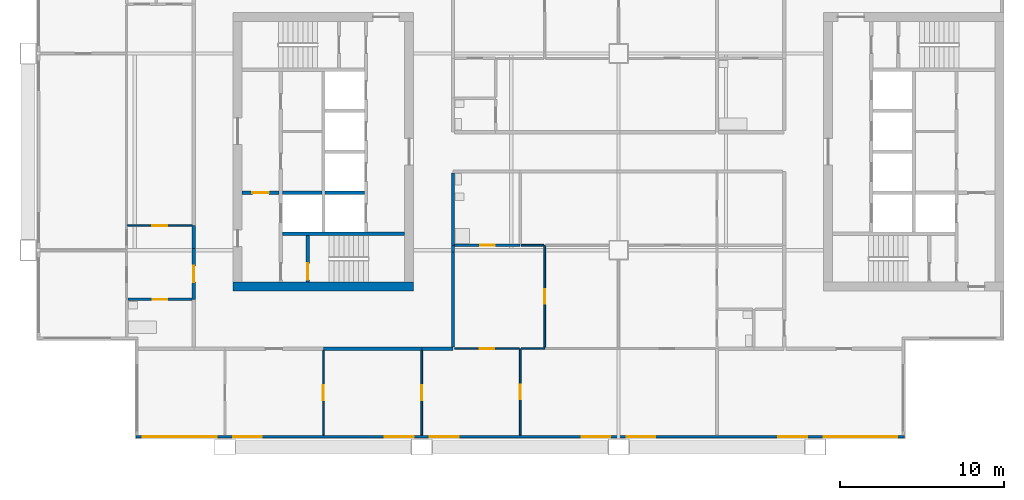
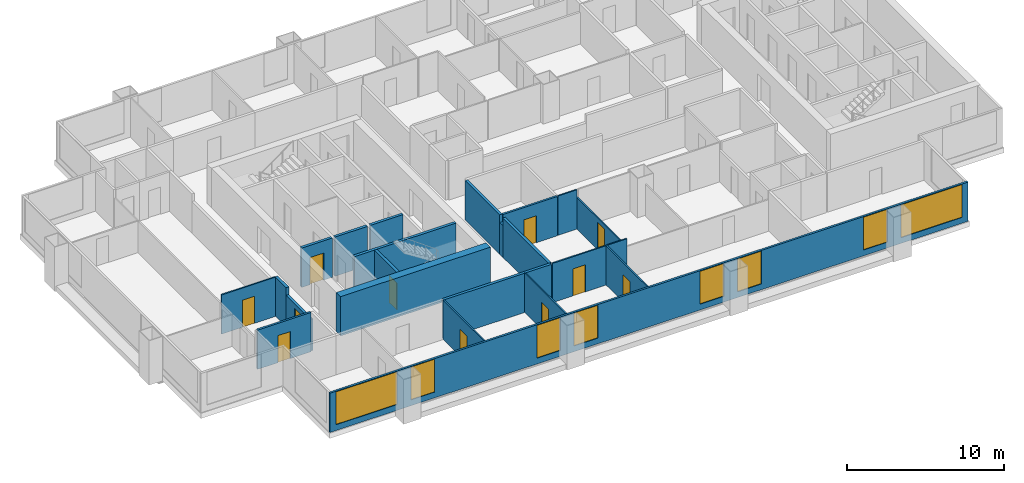
# One storey, part 2 of 9: 24 walls, 11 doors, 8 windows, 19 openings.
"""IFC4 building model written with IfcOpenShell, lengths in metres."""

from ifc_helpers import new_model, si_unit, direction, frame, frame_2d, origin, place, context, subcontext, project, spatial, rectangle, extrude, material, layer, layer_set, type_object, element, fill, save


model = new_model("IFC4")

# Units and contexts
model_context = context("Model", 3, precision=1e-05, world=origin(), true_north=direction((0.0, 1.0)))
body_context = subcontext(model_context, "Body", "Model", "MODEL_VIEW")
ifc_project = project(units=[si_unit("LENGTHUNIT", "METRE"), si_unit("AREAUNIT", "SQUARE_METRE"), si_unit("VOLUMEUNIT", "CUBIC_METRE"), si_unit("PLANEANGLEUNIT", "RADIAN"), si_unit("MASSUNIT", "GRAM", prefix="KILO")], contexts=[model_context])

# Site, building, storey
site_placement = place(None, origin())
site = spatial("IfcSite", under=ifc_project, at=site_placement, CompositionType="ELEMENT")
building_placement = place(site_placement, origin())
building = spatial("IfcBuilding", under=site, at=building_placement, Name="Kitamizu Gate Tower and Museum", CompositionType="ELEMENT")
storey_placement = place(building_placement, frame((0.0, 0.0, 178.949951171875)))
storey = spatial("IfcBuildingStorey", under=building, at=storey_placement, Name="L47", CompositionType="ELEMENT", Elevation=178.949951171875)

# Wall
ifc_material_1 = material(Name="Concrete Fc42", Category="concrete")
ifc_layer_1 = layer(ifc_material_1, 0.550048828125)
ifc_layer_set_1 = layer_set([ifc_layer_1], Name="Concrete Fc42")
wall_type_1 = type_object("IfcWallType", Name="Core wall 550", PredefinedType="SHEAR", material=ifc_layer_set_1)
wall_1_placement = place(storey_placement, frame((12.5, 21.77490234375, 0.0), z_axis=(0.0, 0.0, 1.0), x_axis=(1.0, 0.0, 0.0)))
element("IfcWall", 1, at=wall_1_placement, inside=storey, type_object=wall_type_1, Name="Core wall WS", PredefinedType="SHEAR", context=body_context, shape_type="SweptSolid", body=[
    extrude(rectangle(XDim=11.0, YDim=0.550048828125, at=frame_2d((5.5, 0.0))), origin(), (0.0, 0.0, 1.0), 3.050048828125),
])

# Wall, opening, door
ifc_material_2 = material(Name="Gypsum board on galvanised stud")
ifc_layer_2 = layer(ifc_material_2, 0.10009765625)
ifc_layer_set_2 = layer_set([ifc_layer_2], Name="Gypsum board on galvanised stud")
wall_type_2 = type_object("IfcWallType", Name="Partition 100 NOT RATED", PredefinedType="PARTITIONING", material=ifc_layer_set_2)
wall_2_placement = place(storey_placement, frame((18.0, 12.719970703125, 0.0), z_axis=(0.0, 0.0, 1.0), x_axis=(0.0, 1.0, 0.0)))
wall_2 = element("IfcWall", 2, at=wall_2_placement, inside=storey, type_object=wall_type_2, Name="Partition L47-004", PredefinedType="PARTITIONING", context=body_context, shape_type="SweptSolid", body=[
    extrude(rectangle(XDim=5.179931640625, YDim=0.10009765625, at=frame_2d((2.58984375, 0.0))), origin(), (0.0, 0.0, 1.0), 3.050048828125),
])
opening_1_placement = place(wall_2_placement, frame((2.139892578125, 0.0, 0.0)))
opening_1 = element("IfcOpeningElement", 3, at=opening_1_placement, cuts=wall_2, Name="Opening L47-003", PredefinedType="OPENING", context=body_context, shape_type="SweptSolid", body=[
    extrude(rectangle(XDim=0.89990234375, YDim=2.10009765625, at=frame_2d((0.449951171875, 1.050048828125))), frame((0.0, 0.06005859375, 0.0), z_axis=(0.0, -1.0, 0.0), x_axis=(1.0, 0.0, 0.0)), (0.0, 0.0, 1.0), 0.1201171875),
])
ifc_material_3 = material(Name="Timber door set", Category="wood")
door_type_1 = type_object("IfcDoorType", Name="Room door 900", OperationType="NOTDEFINED", PredefinedType="DOOR", material=ifc_material_3)
door_1_placement = place(opening_1_placement, frame((0.89990234375, 0.0, 0.0), x_axis=(-1.0, 0.0, 0.0)))
door_1 = element("IfcDoor", 4, at=door_1_placement, inside=storey, type_object=door_type_1, Name="Door L47-003", OperationType="SINGLE_SWING_LEFT", OverallHeight=2.10009765625, OverallWidth=0.89990234375, PredefinedType="DOOR", context=body_context, shape_type="SweptSolid", body=[
    extrude(rectangle(XDim=0.89990234375, YDim=2.10009765625, at=frame_2d((0.449951171875, 1.050048828125))), frame((0.0, 0.02490234375, 0.0), z_axis=(0.0, -1.0, 0.0), x_axis=(1.0, 0.0, 0.0)), (0.0, 0.0, 1.0), 0.050048828125),
])
fill(opening_1, door_1)

wall_3_placement = place(storey_placement, frame((24.0, 12.719970703125, 0.0), z_axis=(0.0, 0.0, 1.0), x_axis=(0.0, 1.0, 0.0)))
wall_3 = element("IfcWall", 5, at=wall_3_placement, inside=storey, type_object=wall_type_2, Name="Partition L47-006", PredefinedType="PARTITIONING", context=body_context, shape_type="SweptSolid", body=[
    extrude(rectangle(XDim=5.179931640625, YDim=0.10009765625, at=frame_2d((2.58984375, 0.0))), origin(), (0.0, 0.0, 1.0), 3.050048828125),
])
opening_2_placement = place(wall_3_placement, frame((2.139892578125, 0.0, 0.0)))
opening_2 = element("IfcOpeningElement", 6, at=opening_2_placement, cuts=wall_3, Name="Opening L47-004", PredefinedType="OPENING", context=body_context, shape_type="SweptSolid", body=[
    extrude(rectangle(XDim=0.89990234375, YDim=2.10009765625, at=frame_2d((0.449951171875, 1.050048828125))), frame((0.0, 0.06005859375, 0.0), z_axis=(0.0, -1.0, 0.0), x_axis=(1.0, 0.0, 0.0)), (0.0, 0.0, 1.0), 0.1201171875),
])
door_2_placement = place(opening_2_placement, origin())
door_2 = element("IfcDoor", 7, at=door_2_placement, inside=storey, type_object=door_type_1, Name="Door L47-004", OperationType="SINGLE_SWING_LEFT", OverallHeight=2.10009765625, OverallWidth=0.89990234375, PredefinedType="DOOR", context=body_context, shape_type="SweptSolid", body=[
    extrude(rectangle(XDim=0.89990234375, YDim=2.10009765625, at=frame_2d((0.449951171875, 1.050048828125))), frame((0.0, 0.02490234375, 0.0), z_axis=(0.0, -1.0, 0.0), x_axis=(1.0, 0.0, 0.0)), (0.0, 0.0, 1.0), 0.050048828125),
])
fill(opening_2, door_2)

wall_4_placement = place(storey_placement, frame((30.0, 12.719970703125, 0.0), z_axis=(0.0, 0.0, 1.0), x_axis=(0.0, 1.0, 0.0)))
wall_4 = element("IfcWall", 8, at=wall_4_placement, inside=storey, type_object=wall_type_2, Name="Partition L47-008", PredefinedType="PARTITIONING", context=body_context, shape_type="SweptSolid", body=[
    extrude(rectangle(XDim=5.280029296875, YDim=0.10009765625, at=frame_2d((2.64013671875, 0.0))), origin(), (0.0, 0.0, 1.0), 3.050048828125),
])
opening_3_placement = place(wall_4_placement, frame((2.18994140625, 0.0, 0.0)))
opening_3 = element("IfcOpeningElement", 9, at=opening_3_placement, cuts=wall_4, Name="Opening L47-005", PredefinedType="OPENING", context=body_context, shape_type="SweptSolid", body=[
    extrude(rectangle(XDim=0.89990234375, YDim=2.10009765625, at=frame_2d((0.449951171875, 1.050048828125))), frame((0.0, 0.06005859375, 0.0), z_axis=(0.0, -1.0, 0.0), x_axis=(1.0, 0.0, 0.0)), (0.0, 0.0, 1.0), 0.1201171875),
])
door_3_placement = place(opening_3_placement, origin())
door_3 = element("IfcDoor", 10, at=door_3_placement, inside=storey, type_object=door_type_1, Name="Door L47-005", OperationType="SINGLE_SWING_RIGHT", OverallHeight=2.10009765625, OverallWidth=0.89990234375, PredefinedType="DOOR", context=body_context, shape_type="SweptSolid", body=[
    extrude(rectangle(XDim=0.89990234375, YDim=2.10009765625, at=frame_2d((0.449951171875, 1.050048828125))), frame((0.0, 0.02490234375, 0.0), z_axis=(0.0, -1.0, 0.0), x_axis=(1.0, 0.0, 0.0)), (0.0, 0.0, 1.0), 0.050048828125),
])
fill(opening_3, door_3)

wall_5_placement = place(storey_placement, frame((29.949951171875, 18.0, 0.0), z_axis=(0.0, 0.0, 1.0), x_axis=(-1.0, 0.0, 0.0)))
wall_5 = element("IfcWall", 11, at=wall_5_placement, inside=storey, type_object=wall_type_2, Name="Partition L47-009", PredefinedType="PARTITIONING", context=body_context, shape_type="SweptSolid", body=[
    extrude(rectangle(XDim=3.949951171875, YDim=0.10009765625, at=frame_2d((1.97509765625, 0.0))), origin(), (0.0, 0.0, 1.0), 3.050048828125),
])
opening_4_placement = place(wall_5_placement, frame((1.52490234375, 0.0, 0.0)))
opening_4 = element("IfcOpeningElement", 12, at=opening_4_placement, cuts=wall_5, Name="Opening L47-006", PredefinedType="OPENING", context=body_context, shape_type="SweptSolid", body=[
    extrude(rectangle(XDim=0.89990234375, YDim=2.10009765625, at=frame_2d((0.449951171875, 1.050048828125))), frame((0.0, 0.06005859375, 0.0), z_axis=(0.0, -1.0, 0.0), x_axis=(1.0, 0.0, 0.0)), (0.0, 0.0, 1.0), 0.1201171875),
])
door_4_placement = place(opening_4_placement, origin())
door_4 = element("IfcDoor", 13, at=door_4_placement, inside=storey, type_object=door_type_1, Name="Door L47-006", OperationType="SINGLE_SWING_LEFT", OverallHeight=2.10009765625, OverallWidth=0.89990234375, PredefinedType="DOOR", context=body_context, shape_type="SweptSolid", body=[
    extrude(rectangle(XDim=0.89990234375, YDim=2.10009765625, at=frame_2d((0.449951171875, 1.050048828125))), frame((0.0, 0.02490234375, 0.0), z_axis=(0.0, -1.0, 0.0), x_axis=(1.0, 0.0, 0.0)), (0.0, 0.0, 1.0), 0.050048828125),
])
fill(opening_4, door_4)

# Wall
wall_6_placement = place(storey_placement, frame((31.5, 18.0, 0.0), z_axis=(0.0, 0.0, 1.0), x_axis=(-1.0, 0.0, 0.0)))
element("IfcWall", 14, at=wall_6_placement, inside=storey, type_object=wall_type_2, Name="Partition L47-011", PredefinedType="PARTITIONING", context=body_context, shape_type="SweptSolid", body=[
    extrude(rectangle(XDim=1.449951171875, YDim=0.10009765625, at=frame_2d((0.72509765625, 0.0))), origin(), (0.0, 0.0, 1.0), 3.050048828125),
])

# Wall, opening, door
wall_7_placement = place(storey_placement, frame((31.5, 18.050048828125, 0.0), z_axis=(0.0, 0.0, 1.0), x_axis=(0.0, 1.0, 0.0)))
wall_7 = element("IfcWall", 15, at=wall_7_placement, inside=storey, type_object=wall_type_2, Name="Partition L47-015", PredefinedType="PARTITIONING", context=body_context, shape_type="SweptSolid", body=[
    extrude(rectangle(XDim=6.25, YDim=0.10009765625, at=frame_2d((3.125, 0.0))), origin(), (0.0, 0.0, 1.0), 2.449951171875),
])
opening_5_placement = place(wall_7_placement, frame((2.675048828125, 0.0, 0.0)))
opening_5 = element("IfcOpeningElement", 16, at=opening_5_placement, cuts=wall_7, Name="Opening L47-007", PredefinedType="OPENING", context=body_context, shape_type="SweptSolid", body=[
    extrude(rectangle(XDim=0.89990234375, YDim=2.10009765625, at=frame_2d((0.449951171875, 1.050048828125))), frame((0.0, 0.06005859375, 0.0), z_axis=(0.0, -1.0, 0.0), x_axis=(1.0, 0.0, 0.0)), (0.0, 0.0, 1.0), 0.1201171875),
])
door_5_placement = place(opening_5_placement, frame((0.89990234375, 0.0, 0.0), x_axis=(-1.0, 0.0, 0.0)))
door_5 = element("IfcDoor", 17, at=door_5_placement, inside=storey, type_object=door_type_1, Name="Door L47-007", OperationType="SINGLE_SWING_LEFT", OverallHeight=2.10009765625, OverallWidth=0.89990234375, PredefinedType="DOOR", context=body_context, shape_type="SweptSolid", body=[
    extrude(rectangle(XDim=0.89990234375, YDim=2.10009765625, at=frame_2d((0.449951171875, 1.050048828125))), frame((0.0, 0.02490234375, 0.0), z_axis=(0.0, -1.0, 0.0), x_axis=(1.0, 0.0, 0.0)), (0.0, 0.0, 1.0), 0.050048828125),
])
fill(opening_5, door_5)

# Wall
wall_8_placement = place(storey_placement, frame((31.449951171875, 24.300048828125, 0.0), z_axis=(0.0, 0.0, 1.0), x_axis=(-1.0, 0.0, 0.0)))
element("IfcWall", 18, at=wall_8_placement, inside=storey, type_object=wall_type_2, Name="Partition L47-017", PredefinedType="PARTITIONING", context=body_context, shape_type="SweptSolid", body=[
    extrude(rectangle(XDim=1.375, YDim=0.10009765625, at=frame_2d((0.6875, 0.0))), origin(), (0.0, 0.0, 1.0), 3.050048828125),
])

# Wall, opening, door
wall_9_placement = place(storey_placement, frame((10.0, 25.5, 0.0), z_axis=(0.0, 0.0, 1.0), x_axis=(-1.0, 0.0, 0.0)))
wall_9 = element("IfcWall", 19, at=wall_9_placement, inside=storey, type_object=wall_type_2, Name="Partition L47-089", PredefinedType="PARTITIONING", context=body_context, shape_type="SweptSolid", body=[
    extrude(rectangle(XDim=3.949951171875, YDim=0.10009765625, at=frame_2d((1.97509765625, 0.0))), origin(), (0.0, 0.0, 1.0), 3.050048828125),
])
opening_6_placement = place(wall_9_placement, frame((1.52490234375, 0.0, 0.0)))
opening_6 = element("IfcOpeningElement", 20, at=opening_6_placement, cuts=wall_9, Name="Opening L47-031", PredefinedType="OPENING", context=body_context, shape_type="SweptSolid", body=[
    extrude(rectangle(XDim=0.89990234375, YDim=2.10009765625, at=frame_2d((0.449951171875, 1.050048828125))), frame((0.0, 0.06005859375, 0.0), z_axis=(0.0, -1.0, 0.0), x_axis=(1.0, 0.0, 0.0)), (0.0, 0.0, 1.0), 0.1201171875),
])
door_6_placement = place(opening_6_placement, origin())
door_6 = element("IfcDoor", 21, at=door_6_placement, inside=storey, type_object=door_type_1, Name="Door L47-031", OperationType="SINGLE_SWING_LEFT", OverallHeight=2.10009765625, OverallWidth=0.89990234375, PredefinedType="DOOR", context=body_context, shape_type="SweptSolid", body=[
    extrude(rectangle(XDim=0.89990234375, YDim=2.10009765625, at=frame_2d((0.449951171875, 1.050048828125))), frame((0.0, 0.02490234375, 0.0), z_axis=(0.0, -1.0, 0.0), x_axis=(1.0, 0.0, 0.0)), (0.0, 0.0, 1.0), 0.050048828125),
])
fill(opening_6, door_6)

ifc_material_4 = material(Name="Gypsum board on galvanised stud")
ifc_layer_3 = layer(ifc_material_4, 0.14990234375)
ifc_layer_set_3 = layer_set([ifc_layer_3], Name="Gypsum board on galvanised stud")
wall_type_3 = type_object("IfcWallType", Name="Partition 150", PredefinedType="PARTITIONING", material=ifc_layer_set_3)
wall_10_placement = place(storey_placement, frame((30.0, 24.300048828125, 0.0), z_axis=(0.0, 0.0, 1.0), x_axis=(-1.0, 0.0, 0.0)))
wall_10 = element("IfcWall", 22, at=wall_10_placement, inside=storey, type_object=wall_type_3, Name="Partition L47-016", PredefinedType="PARTITIONING", context=body_context, shape_type="SweptSolid", body=[
    extrude(rectangle(XDim=4.0, YDim=0.14990234375, at=frame_2d((2.0, 0.0))), origin(), (0.0, 0.0, 1.0), 3.050048828125),
])
opening_7_placement = place(wall_10_placement, frame((1.550048828125, 0.0, 0.0)))
opening_7 = element("IfcOpeningElement", 23, at=opening_7_placement, cuts=wall_10, Name="Opening L47-009", PredefinedType="OPENING", context=body_context, shape_type="SweptSolid", body=[
    extrude(rectangle(XDim=0.89990234375, YDim=2.10009765625, at=frame_2d((0.449951171875, 1.050048828125))), frame((0.0, 0.0849609375, 0.0), z_axis=(0.0, -1.0, 0.0), x_axis=(1.0, 0.0, 0.0)), (0.0, 0.0, 1.0), 0.169921875),
])
ifc_material_5 = material(Name="Timber door set", Category="wood")
door_type_2 = type_object("IfcDoorType", Name="Bathroom door 900", OperationType="NOTDEFINED", PredefinedType="DOOR", material=ifc_material_5)
door_7_placement = place(opening_7_placement, frame((0.89990234375, 0.0, 0.0), x_axis=(-1.0, 0.0, 0.0)))
door_7 = element("IfcDoor", 24, at=door_7_placement, inside=storey, type_object=door_type_2, Name="Bathroom door L47-009", OperationType="SINGLE_SWING_LEFT", OverallHeight=2.10009765625, OverallWidth=0.89990234375, PredefinedType="DOOR", context=body_context, shape_type="SweptSolid", body=[
    extrude(rectangle(XDim=0.89990234375, YDim=2.10009765625, at=frame_2d((0.449951171875, 1.050048828125))), frame((0.0, 0.02490234375, 0.0), z_axis=(0.0, -1.0, 0.0), x_axis=(1.0, 0.0, 0.0)), (0.0, 0.0, 1.0), 0.050048828125),
])
fill(opening_7, door_7)

wall_11_placement = place(storey_placement, frame((10.0, 21.0, 0.0), z_axis=(0.0, 0.0, 1.0), x_axis=(-1.0, 0.0, 0.0)))
wall_11 = element("IfcWall", 25, at=wall_11_placement, inside=storey, type_object=wall_type_3, Name="Partition L47-087", PredefinedType="PARTITIONING", context=body_context, shape_type="SweptSolid", body=[
    extrude(rectangle(XDim=3.925048828125, YDim=0.14990234375, at=frame_2d((1.96240234375, 0.0))), origin(), (0.0, 0.0, 1.0), 3.050048828125),
])
opening_8_placement = place(wall_11_placement, frame((1.512451171875, 0.0, 0.0)))
opening_8 = element("IfcOpeningElement", 26, at=opening_8_placement, cuts=wall_11, Name="Opening L47-033", PredefinedType="OPENING", context=body_context, shape_type="SweptSolid", body=[
    extrude(rectangle(XDim=0.89990234375, YDim=2.10009765625, at=frame_2d((0.449951171875, 1.050048828125))), frame((0.0, 0.0849609375, 0.0), z_axis=(0.0, -1.0, 0.0), x_axis=(1.0, 0.0, 0.0)), (0.0, 0.0, 1.0), 0.169921875),
])
door_8_placement = place(opening_8_placement, origin())
door_8 = element("IfcDoor", 27, at=door_8_placement, inside=storey, type_object=door_type_2, Name="Bathroom door L47-033", OperationType="SINGLE_SWING_LEFT", OverallHeight=2.10009765625, OverallWidth=0.89990234375, PredefinedType="DOOR", context=body_context, shape_type="SweptSolid", body=[
    extrude(rectangle(XDim=0.89990234375, YDim=2.10009765625, at=frame_2d((0.449951171875, 1.050048828125))), frame((0.0, 0.02490234375, 0.0), z_axis=(0.0, -1.0, 0.0), x_axis=(1.0, 0.0, 0.0)), (0.0, 0.0, 1.0), 0.050048828125),
])
fill(opening_8, door_8)

# Walls
ifc_material_6 = material(Name="Gypsum board on galvanised stud")
ifc_layer_4 = layer(ifc_material_6, 0.199951171875)
ifc_layer_set_4 = layer_set([ifc_layer_4], Name="Gypsum board on galvanised stud")
wall_type_4 = type_object("IfcWallType", Name="Partition 200", PredefinedType="PARTITIONING", material=ifc_layer_set_4)
wall_12_placement = place(storey_placement, frame((24.0, 18.0, 0.0), z_axis=(0.0, 0.0, 1.0), x_axis=(-1.0, 0.0, 0.0)))
element("IfcWall", 28, at=wall_12_placement, inside=storey, type_object=wall_type_4, Name="Partition L47-007", PredefinedType="PARTITIONING", context=body_context, shape_type="SweptSolid", body=[
    extrude(rectangle(XDim=6.0, YDim=0.199951171875, at=frame_2d((3.0, 0.0))), origin(), (0.0, 0.0, 1.0), 3.050048828125),
])
wall_13_placement = place(storey_placement, frame((25.89990234375, 18.0, 0.0), z_axis=(0.0, 0.0, 1.0), x_axis=(-1.0, 0.0, 0.0)))
element("IfcWall", 29, at=wall_13_placement, inside=storey, type_object=wall_type_4, Name="Partition L47-010", PredefinedType="PARTITIONING", context=body_context, shape_type="SweptSolid", body=[
    extrude(rectangle(XDim=1.89990234375, YDim=0.199951171875, at=frame_2d((0.949951171875, 0.0))), origin(), (0.0, 0.0, 1.0), 3.050048828125),
])
wall_14_placement = place(storey_placement, frame((25.89990234375, 24.300048828125, 0.0), z_axis=(0.0, 0.0, 1.0), x_axis=(0.0, -1.0, 0.0)))
element("IfcWall", 30, at=wall_14_placement, inside=storey, type_object=wall_type_4, Name="Partition L47-018", PredefinedType="PARTITIONING", context=body_context, shape_type="SweptSolid", body=[
    extrude(rectangle(XDim=0.400146484375, YDim=0.199951171875, at=frame_2d((0.2001953125, 0.0))), origin(), (0.0, 0.0, 1.0), 2.449951171875),
])
wall_15_placement = place(storey_placement, frame((25.89990234375, 23.89990234375, 0.0), z_axis=(0.0, 0.0, 1.0), x_axis=(0.0, -1.0, 0.0)))
element("IfcWall", 31, at=wall_15_placement, inside=storey, type_object=wall_type_4, Name="Partition L47-019", PredefinedType="PARTITIONING", context=body_context, shape_type="SweptSolid", body=[
    extrude(rectangle(XDim=5.7998046875, YDim=0.199951171875, at=frame_2d((2.89990234375, 0.0))), origin(), (0.0, 0.0, 1.0), 3.050048828125),
])
wall_16_placement = place(storey_placement, frame((25.89990234375, 28.699951171875, 0.0), z_axis=(0.0, 0.0, 1.0), x_axis=(0.0, -1.0, 0.0)))
element("IfcWall", 32, at=wall_16_placement, inside=storey, type_object=wall_type_4, Name="Partition L47-027", PredefinedType="PARTITIONING", context=body_context, shape_type="SweptSolid", body=[
    extrude(rectangle(XDim=4.39990234375, YDim=0.199951171875, at=frame_2d((2.199951171875, 0.0))), origin(), (0.0, 0.0, 1.0), 3.050048828125),
])

# Wall, opening, door
wall_17_placement = place(storey_placement, frame((10.10009765625, 21.0, 0.0), z_axis=(0.0, 0.0, 1.0), x_axis=(0.0, 1.0, 0.0)))
wall_17 = element("IfcWall", 33, at=wall_17_placement, inside=storey, type_object=wall_type_4, Name="Partition L47-090", PredefinedType="PARTITIONING", context=body_context, shape_type="SweptSolid", body=[
    extrude(rectangle(XDim=3.10009765625, YDim=0.199951171875, at=frame_2d((1.550048828125, 0.0))), origin(), (0.0, 0.0, 1.0), 2.449951171875),
])
opening_9_placement = place(wall_17_placement, frame((1.050048828125, 0.0, 0.0)))
opening_9 = element("IfcOpeningElement", 34, at=opening_9_placement, cuts=wall_17, Name="Opening L47-028", PredefinedType="OPENING", context=body_context, shape_type="SweptSolid", body=[
    extrude(rectangle(XDim=1.0, YDim=2.10009765625, at=frame_2d((0.5, 1.050048828125))), frame((0.0, 0.10986328125, 0.0), z_axis=(0.0, -1.0, 0.0), x_axis=(1.0, 0.0, 0.0)), (0.0, 0.0, 1.0), 0.219970703125),
])
ifc_material_7 = material(Name="Timber door set", Category="wood")
door_type_3 = type_object("IfcDoorType", Name="Flat entrance door 1000", OperationType="NOTDEFINED", PredefinedType="DOOR", material=ifc_material_7)
door_9_placement = place(opening_9_placement, origin())
door_9 = element("IfcDoor", 35, at=door_9_placement, inside=storey, type_object=door_type_3, Name="Flat entrance door L47-028", OperationType="SINGLE_SWING_RIGHT", OverallHeight=2.10009765625, OverallWidth=1.0, PredefinedType="DOOR", context=body_context, shape_type="SweptSolid", body=[
    extrude(rectangle(XDim=1.0, YDim=2.10009765625, at=frame_2d((0.5, 1.050048828125))), frame((0.0, 0.02490234375, 0.0), z_axis=(0.0, -1.0, 0.0), x_axis=(1.0, 0.0, 0.0)), (0.0, 0.0, 1.0), 0.050048828125),
])
fill(opening_9, door_9)

# Walls
wall_18_placement = place(storey_placement, frame((10.10009765625, 24.10009765625, 0.0), z_axis=(0.0, 0.0, 1.0), x_axis=(0.0, 1.0, 0.0)))
element("IfcWall", 36, at=wall_18_placement, inside=storey, type_object=wall_type_4, Name="Partition L47-091", PredefinedType="PARTITIONING", context=body_context, shape_type="SweptSolid", body=[
    extrude(rectangle(XDim=1.39990234375, YDim=0.199951171875, at=frame_2d((0.699951171875, 0.0))), origin(), (0.0, 0.0, 1.0), 3.050048828125),
])
ifc_material_8 = material(Name="Concrete Fc42", Category="concrete")
ifc_layer_5 = layer(ifc_material_8, 0.199951171875)
ifc_layer_set_5 = layer_set([ifc_layer_5], Name="Concrete Fc42")
wall_type_5 = type_object("IfcWallType", Name="Shaft wall 200", PredefinedType="SOLIDWALL", material=ifc_layer_set_5)
wall_19_placement = place(storey_placement, frame((15.5, 25.0, 0.0), z_axis=(0.0, 0.0, 1.0), x_axis=(1.0, 0.0, 0.0)))
element("IfcWall", 37, at=wall_19_placement, inside=storey, type_object=wall_type_5, Name="Shaft wall WSB", PredefinedType="SOLIDWALL", context=body_context, shape_type="SweptSolid", body=[
    extrude(rectangle(XDim=7.449951171875, YDim=0.199951171875, at=frame_2d((3.72509765625, 0.0))), origin(), (0.0, 0.0, 1.0), 3.050048828125),
])

# Wall, opening, door
wall_20_placement = place(storey_placement, frame((13.050048828125, 27.5, 0.0), z_axis=(0.0, 0.0, 1.0), x_axis=(1.0, 0.0, 0.0)))
wall_20 = element("IfcWall", 38, at=wall_20_placement, inside=storey, type_object=wall_type_5, Name="Shaft wall WFFN", PredefinedType="SOLIDWALL", context=body_context, shape_type="SweptSolid", body=[
    extrude(rectangle(XDim=2.25, YDim=0.199951171875, at=frame_2d((1.125, 0.0))), origin(), (0.0, 0.0, 1.0), 3.050048828125),
])
opening_10_placement = place(wall_20_placement, frame((0.625, 0.0, 0.0)))
opening_10 = element("IfcOpeningElement", 39, at=opening_10_placement, cuts=wall_20, Name="Opening L47-045", PredefinedType="OPENING", context=body_context, shape_type="SweptSolid", body=[
    extrude(rectangle(XDim=1.0, YDim=2.10009765625, at=frame_2d((0.5, 1.050048828125))), frame((0.0, 0.10986328125, 0.0), z_axis=(0.0, -1.0, 0.0), x_axis=(1.0, 0.0, 0.0)), (0.0, 0.0, 1.0), 0.219970703125),
])
ifc_material_9 = material(Name="Hollow metal door set")
door_type_4 = type_object("IfcDoorType", Name="Fire door 1000", OperationType="NOTDEFINED", PredefinedType="DOOR", material=ifc_material_9)
door_10_placement = place(opening_10_placement, frame((1.0, 0.0, 0.0), x_axis=(-1.0, 0.0, 0.0)))
door_10 = element("IfcDoor", 40, at=door_10_placement, inside=storey, type_object=door_type_4, Name="Fire-fighting lobby door L47-045", OperationType="SINGLE_SWING_RIGHT", OverallHeight=2.10009765625, OverallWidth=1.0, PredefinedType="DOOR", context=body_context, shape_type="SweptSolid", body=[
    extrude(rectangle(XDim=1.0, YDim=2.10009765625, at=frame_2d((0.5, 1.050048828125))), frame((0.0, 0.02490234375, 0.0), z_axis=(0.0, -1.0, 0.0), x_axis=(1.0, 0.0, 0.0)), (0.0, 0.0, 1.0), 0.050048828125),
])
fill(opening_10, door_10)

wall_21_placement = place(storey_placement, frame((17.050048828125, 22.050048828125, 0.0), z_axis=(0.0, 0.0, 1.0), x_axis=(0.0, 1.0, 0.0)))
wall_21 = element("IfcWall", 41, at=wall_21_placement, inside=storey, type_object=wall_type_5, Name="Shaft wall WSZ", PredefinedType="SOLIDWALL", context=body_context, shape_type="SweptSolid", body=[
    extrude(rectangle(XDim=2.849853515625, YDim=0.199951171875, at=frame_2d((1.4248046875, 0.0))), origin(), (0.0, 0.0, 1.0), 3.050048828125),
])
opening_11_placement = place(wall_21_placement, frame((0.14990234375, 0.0, 0.0)))
opening_11 = element("IfcOpeningElement", 42, at=opening_11_placement, cuts=wall_21, Name="Opening L47-041", PredefinedType="OPENING", context=body_context, shape_type="SweptSolid", body=[
    extrude(rectangle(XDim=1.0, YDim=2.10009765625, at=frame_2d((0.5, 1.050048828125))), frame((0.0, 0.10986328125, 0.0), z_axis=(0.0, -1.0, 0.0), x_axis=(1.0, 0.0, 0.0)), (0.0, 0.0, 1.0), 0.219970703125),
])
door_11_placement = place(opening_11_placement, frame((1.0, 0.0, 0.0), x_axis=(-1.0, 0.0, 0.0)))
door_11 = element("IfcDoor", 43, at=door_11_placement, inside=storey, type_object=door_type_4, Name="Stair door L47-041", OperationType="SINGLE_SWING_LEFT", OverallHeight=2.10009765625, OverallWidth=1.0, PredefinedType="DOOR", context=body_context, shape_type="SweptSolid", body=[
    extrude(rectangle(XDim=1.0, YDim=2.10009765625, at=frame_2d((0.5, 1.050048828125))), frame((0.0, 0.02490234375, 0.0), z_axis=(0.0, -1.0, 0.0), x_axis=(1.0, 0.0, 0.0)), (0.0, 0.0, 1.0), 0.050048828125),
])
fill(opening_11, door_11)

# Walls
for number, where, z_axis, x_axis, name in (
    (44, (15.5, 27.5, 0.0), (0.0, 0.0, 1.0), (1.0, 0.0, 0.0), "Shaft wall WDVW0"),
    (45, (18.10009765625, 27.5, 0.0), (0.0, 0.0, 1.0), (1.0, 0.0, 0.0), "Shaft wall WDVE0"),
):
    element("IfcWall", number, at=place(storey_placement, frame(where, z_axis=z_axis, x_axis=x_axis)), inside=storey, type_object=wall_type_5, Name=name, PredefinedType="SOLIDWALL", context=body_context, shape_type="SweptSolid", body=[
        extrude(rectangle(XDim=2.39990234375, YDim=0.199951171875, at=frame_2d((1.199951171875, 0.0))), origin(), (0.0, 0.0, 1.0), 3.050048828125),
    ])

# Wall, openings, windows
ifc_material_10 = material(Name="Bronze anodised aluminium frame with insulated spandrel and tinted glass", Category="aluminium")
ifc_layer_6 = layer(ifc_material_10, 0.14990234375)
ifc_layer_set_6 = layer_set([ifc_layer_6], Name="Bronze anodised aluminium frame with insulated spandrel and tinted glass")
wall_type_6 = type_object("IfcWallType", Name="WINDOW WALL 150 BRONZE FRAME EI 30", PredefinedType="ELEMENTEDWALL", material=ifc_layer_set_6)
wall_22_placement = place(storey_placement, frame((6.56005859375, 12.635009765625, 0.0), z_axis=(0.0, 0.0, 1.0), x_axis=(1.0, 0.0, 0.0)))
wall_22 = element("IfcWall", 46, at=wall_22_placement, inside=storey, type_object=wall_type_6, Name="Window wall south L47", PredefinedType="ELEMENTEDWALL", context=body_context, shape_type="SweptSolid", body=[
    extrude(rectangle(XDim=46.8798828125, YDim=0.14990234375, at=frame_2d((23.43994140625, 0.0))), origin(), (0.0, 0.0, 1.0), 3.050048828125),
])
opening_12_placement = place(wall_22_placement, frame((0.43994140625, 0.0, 0.449951171875)))
opening_12 = element("IfcOpeningElement", 47, at=opening_12_placement, cuts=wall_22, Name="Opening W15", PredefinedType="OPENING", context=body_context, shape_type="SweptSolid", body=[
    extrude(rectangle(XDim=4.5, YDim=2.550048828125, at=frame_2d((2.25, 1.27490234375))), frame((0.0, 0.0849609375, 0.0), z_axis=(0.0, -1.0, 0.0), x_axis=(1.0, 0.0, 0.0)), (0.0, 0.0, 1.0), 0.169921875),
])
opening_13_placement = place(wall_22_placement, frame((5.93994140625, 0.0, 0.449951171875)))
opening_13 = element("IfcOpeningElement", 48, at=opening_13_placement, cuts=wall_22, Name="Opening W29", PredefinedType="OPENING", context=body_context, shape_type="SweptSolid", body=[
    extrude(rectangle(XDim=1.75, YDim=2.550048828125, at=frame_2d((0.875, 1.27490234375))), frame((0.0, 0.0849609375, 0.0), z_axis=(0.0, -1.0, 0.0), x_axis=(1.0, 0.0, 0.0)), (0.0, 0.0, 1.0), 0.169921875),
])
opening_14_placement = place(wall_22_placement, frame((15.18994140625, 0.0, 0.449951171875)))
opening_14 = element("IfcOpeningElement", 49, at=opening_14_placement, cuts=wall_22, Name="Opening W29", PredefinedType="OPENING", context=body_context, shape_type="SweptSolid", body=[
    extrude(rectangle(XDim=1.75, YDim=2.550048828125, at=frame_2d((0.875, 1.27490234375))), frame((0.0, 0.0849609375, 0.0), z_axis=(0.0, -1.0, 0.0), x_axis=(1.0, 0.0, 0.0)), (0.0, 0.0, 1.0), 0.169921875),
])
opening_15_placement = place(wall_22_placement, frame((17.93994140625, 0.0, 0.449951171875)))
opening_15 = element("IfcOpeningElement", 50, at=opening_15_placement, cuts=wall_22, Name="Opening W29", PredefinedType="OPENING", context=body_context, shape_type="SweptSolid", body=[
    extrude(rectangle(XDim=1.75, YDim=2.550048828125, at=frame_2d((0.875, 1.27490234375))), frame((0.0, 0.0849609375, 0.0), z_axis=(0.0, -1.0, 0.0), x_axis=(1.0, 0.0, 0.0)), (0.0, 0.0, 1.0), 0.169921875),
])
opening_16_placement = place(wall_22_placement, frame((27.18994140625, 0.0, 0.449951171875)))
opening_16 = element("IfcOpeningElement", 51, at=opening_16_placement, cuts=wall_22, Name="Opening W29", PredefinedType="OPENING", context=body_context, shape_type="SweptSolid", body=[
    extrude(rectangle(XDim=1.75, YDim=2.550048828125, at=frame_2d((0.875, 1.27490234375))), frame((0.0, 0.0849609375, 0.0), z_axis=(0.0, -1.0, 0.0), x_axis=(1.0, 0.0, 0.0)), (0.0, 0.0, 1.0), 0.169921875),
])
opening_17_placement = place(wall_22_placement, frame((29.93994140625, 0.0, 0.449951171875)))
opening_17 = element("IfcOpeningElement", 52, at=opening_17_placement, cuts=wall_22, Name="Opening W29", PredefinedType="OPENING", context=body_context, shape_type="SweptSolid", body=[
    extrude(rectangle(XDim=1.75, YDim=2.550048828125, at=frame_2d((0.875, 1.27490234375))), frame((0.0, 0.0849609375, 0.0), z_axis=(0.0, -1.0, 0.0), x_axis=(1.0, 0.0, 0.0)), (0.0, 0.0, 1.0), 0.169921875),
])
opening_18_placement = place(wall_22_placement, frame((39.18994140625, 0.0, 0.449951171875)))
opening_18 = element("IfcOpeningElement", 53, at=opening_18_placement, cuts=wall_22, Name="Opening W29", PredefinedType="OPENING", context=body_context, shape_type="SweptSolid", body=[
    extrude(rectangle(XDim=1.75, YDim=2.550048828125, at=frame_2d((0.875, 1.27490234375))), frame((0.0, 0.0849609375, 0.0), z_axis=(0.0, -1.0, 0.0), x_axis=(1.0, 0.0, 0.0)), (0.0, 0.0, 1.0), 0.169921875),
])
opening_19_placement = place(wall_22_placement, frame((41.93994140625, 0.0, 0.449951171875)))
opening_19 = element("IfcOpeningElement", 54, at=opening_19_placement, cuts=wall_22, Name="Opening W15", PredefinedType="OPENING", context=body_context, shape_type="SweptSolid", body=[
    extrude(rectangle(XDim=4.5, YDim=2.550048828125, at=frame_2d((2.25, 1.27490234375))), frame((0.0, 0.0849609375, 0.0), z_axis=(0.0, -1.0, 0.0), x_axis=(1.0, 0.0, 0.0)), (0.0, 0.0, 1.0), 0.169921875),
])
ifc_material_11 = material(Name="Bronze anodised aluminium frame, tinted triple glazing", Category="aluminium")
window_type_1 = type_object("IfcWindowType", Name="WINDOW 1750 x 2550 SILL 450", PartitioningType="SINGLE_PANEL", PredefinedType="WINDOW", material=ifc_material_11)
window_1_placement = place(opening_13_placement, origin())
window_1 = element("IfcWindow", 55, at=window_1_placement, inside=storey, type_object=window_type_1, Name="Window W29 L47", OverallHeight=2.550048828125, OverallWidth=1.75, PartitioningType="SINGLE_PANEL", PredefinedType="WINDOW", context=body_context, shape_type="SweptSolid", body=[
    extrude(rectangle(XDim=1.75, YDim=2.550048828125, at=frame_2d((0.875, 1.27490234375))), frame((0.0, 0.030029296875, 0.0), z_axis=(0.0, -1.0, 0.0), x_axis=(1.0, 0.0, 0.0)), (0.0, 0.0, 1.0), 0.06005859375),
])
fill(opening_13, window_1)
window_2_placement = place(opening_14_placement, origin())
window_2 = element("IfcWindow", 56, at=window_2_placement, inside=storey, type_object=window_type_1, Name="Window W29 L47", OverallHeight=2.550048828125, OverallWidth=1.75, PartitioningType="SINGLE_PANEL", PredefinedType="WINDOW", context=body_context, shape_type="SweptSolid", body=[
    extrude(rectangle(XDim=1.75, YDim=2.550048828125, at=frame_2d((0.875, 1.27490234375))), frame((0.0, 0.030029296875, 0.0), z_axis=(0.0, -1.0, 0.0), x_axis=(1.0, 0.0, 0.0)), (0.0, 0.0, 1.0), 0.06005859375),
])
fill(opening_14, window_2)
window_3_placement = place(opening_15_placement, origin())
window_3 = element("IfcWindow", 57, at=window_3_placement, inside=storey, type_object=window_type_1, Name="Window W29 L47", OverallHeight=2.550048828125, OverallWidth=1.75, PartitioningType="SINGLE_PANEL", PredefinedType="WINDOW", context=body_context, shape_type="SweptSolid", body=[
    extrude(rectangle(XDim=1.75, YDim=2.550048828125, at=frame_2d((0.875, 1.27490234375))), frame((0.0, 0.030029296875, 0.0), z_axis=(0.0, -1.0, 0.0), x_axis=(1.0, 0.0, 0.0)), (0.0, 0.0, 1.0), 0.06005859375),
])
fill(opening_15, window_3)
window_4_placement = place(opening_16_placement, origin())
window_4 = element("IfcWindow", 58, at=window_4_placement, inside=storey, type_object=window_type_1, Name="Window W29 L47", OverallHeight=2.550048828125, OverallWidth=1.75, PartitioningType="SINGLE_PANEL", PredefinedType="WINDOW", context=body_context, shape_type="SweptSolid", body=[
    extrude(rectangle(XDim=1.75, YDim=2.550048828125, at=frame_2d((0.875, 1.27490234375))), frame((0.0, 0.030029296875, 0.0), z_axis=(0.0, -1.0, 0.0), x_axis=(1.0, 0.0, 0.0)), (0.0, 0.0, 1.0), 0.06005859375),
])
fill(opening_16, window_4)
window_5_placement = place(opening_17_placement, origin())
window_5 = element("IfcWindow", 59, at=window_5_placement, inside=storey, type_object=window_type_1, Name="Window W29 L47", OverallHeight=2.550048828125, OverallWidth=1.75, PartitioningType="SINGLE_PANEL", PredefinedType="WINDOW", context=body_context, shape_type="SweptSolid", body=[
    extrude(rectangle(XDim=1.75, YDim=2.550048828125, at=frame_2d((0.875, 1.27490234375))), frame((0.0, 0.030029296875, 0.0), z_axis=(0.0, -1.0, 0.0), x_axis=(1.0, 0.0, 0.0)), (0.0, 0.0, 1.0), 0.06005859375),
])
fill(opening_17, window_5)
window_6_placement = place(opening_18_placement, origin())
window_6 = element("IfcWindow", 60, at=window_6_placement, inside=storey, type_object=window_type_1, Name="Window W29 L47", OverallHeight=2.550048828125, OverallWidth=1.75, PartitioningType="SINGLE_PANEL", PredefinedType="WINDOW", context=body_context, shape_type="SweptSolid", body=[
    extrude(rectangle(XDim=1.75, YDim=2.550048828125, at=frame_2d((0.875, 1.27490234375))), frame((0.0, 0.030029296875, 0.0), z_axis=(0.0, -1.0, 0.0), x_axis=(1.0, 0.0, 0.0)), (0.0, 0.0, 1.0), 0.06005859375),
])
fill(opening_18, window_6)
ifc_material_12 = material(Name="Bronze anodised aluminium frame, tinted triple glazing", Category="aluminium")
window_type_2 = type_object("IfcWindowType", Name="WINDOW 4500 x 2550 SILL 450", PartitioningType="SINGLE_PANEL", PredefinedType="WINDOW", material=ifc_material_12)
window_7_placement = place(opening_12_placement, origin())
window_7 = element("IfcWindow", 61, at=window_7_placement, inside=storey, type_object=window_type_2, Name="Window W15 L47", OverallHeight=2.550048828125, OverallWidth=4.5, PartitioningType="SINGLE_PANEL", PredefinedType="WINDOW", context=body_context, shape_type="SweptSolid", body=[
    extrude(rectangle(XDim=4.5, YDim=2.550048828125, at=frame_2d((2.25, 1.27490234375))), frame((0.0, 0.030029296875, 0.0), z_axis=(0.0, -1.0, 0.0), x_axis=(1.0, 0.0, 0.0)), (0.0, 0.0, 1.0), 0.06005859375),
])
fill(opening_12, window_7)
window_8_placement = place(opening_19_placement, origin())
window_8 = element("IfcWindow", 62, at=window_8_placement, inside=storey, type_object=window_type_2, Name="Window W15 L47", OverallHeight=2.550048828125, OverallWidth=4.5, PartitioningType="SINGLE_PANEL", PredefinedType="WINDOW", context=body_context, shape_type="SweptSolid", body=[
    extrude(rectangle(XDim=4.5, YDim=2.550048828125, at=frame_2d((2.25, 1.27490234375))), frame((0.0, 0.030029296875, 0.0), z_axis=(0.0, -1.0, 0.0), x_axis=(1.0, 0.0, 0.0)), (0.0, 0.0, 1.0), 0.06005859375),
])
fill(opening_19, window_8)

save(model, "model.ifc")
